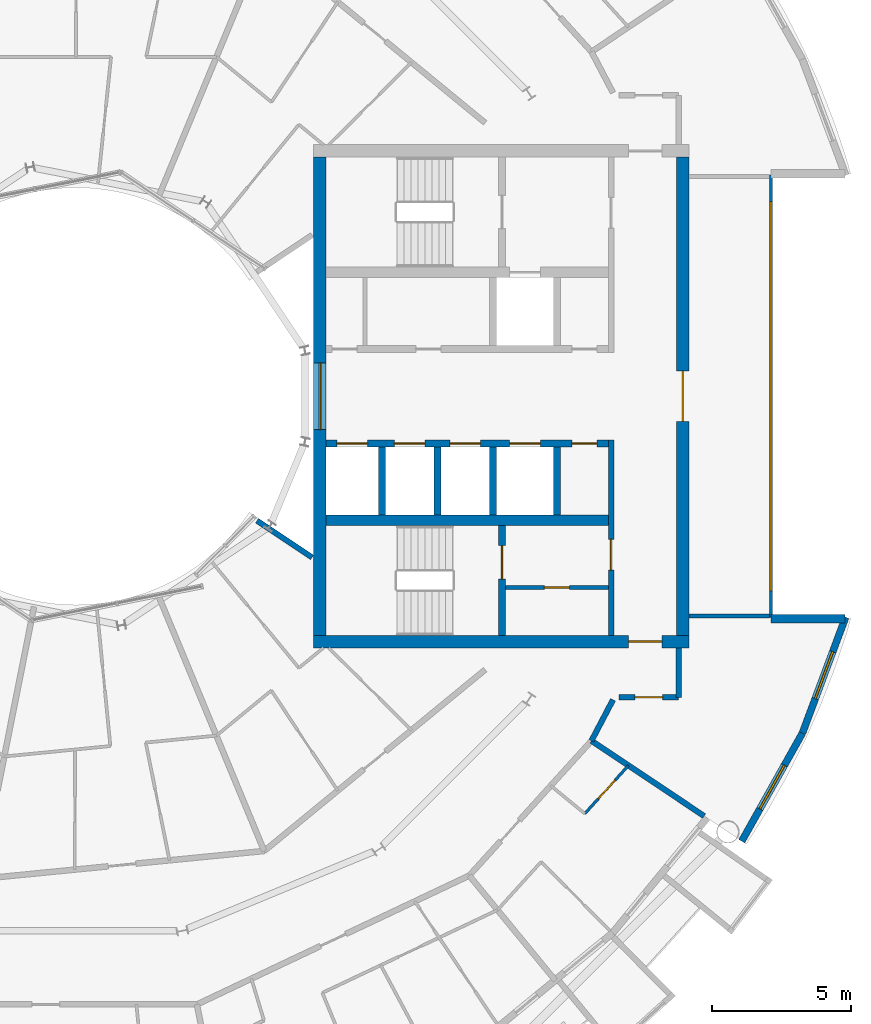
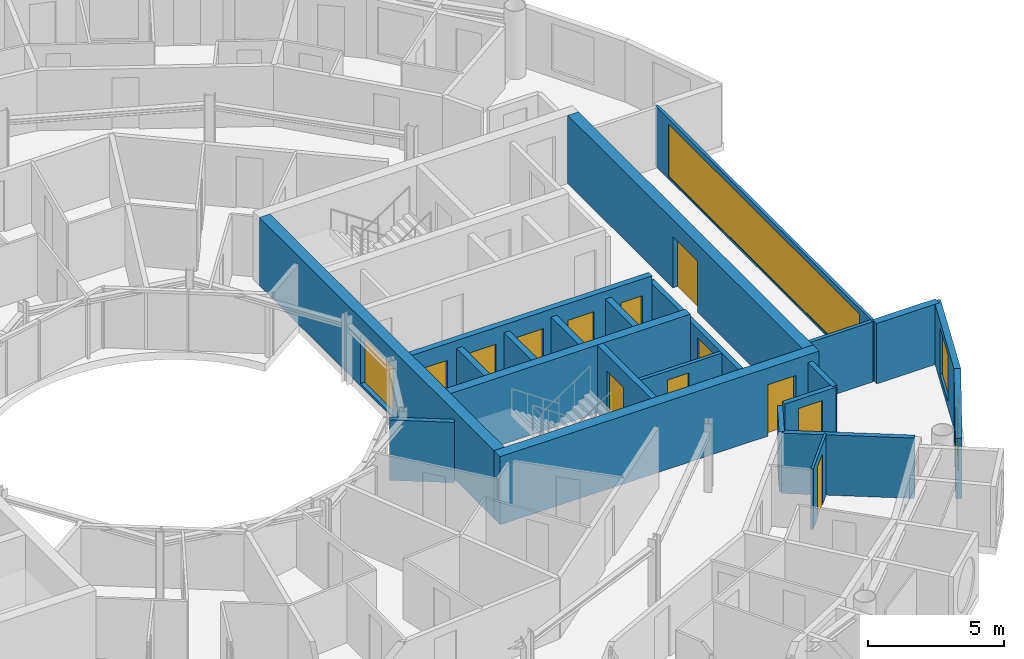
# One storey, part 19 of 29: 23 walls, 12 doors, 4 windows, 16 openings.
"""IFC4 building model written with IfcOpenShell, lengths in metres."""

from ifc_helpers import new_model, si_unit, direction, frame, frame_2d, origin, place, context, subcontext, project, spatial, rectangle, extrude, material, layer, layer_set, type_object, element, fill, save


model = new_model("IFC4")

# Units and contexts
model_context = context("Model", 3, precision=1e-05, world=origin(), true_north=direction((0.0, 1.0)))
body_context = subcontext(model_context, "Body", "Model", "MODEL_VIEW")
ifc_project = project(units=[si_unit("LENGTHUNIT", "METRE"), si_unit("AREAUNIT", "SQUARE_METRE"), si_unit("VOLUMEUNIT", "CUBIC_METRE"), si_unit("PLANEANGLEUNIT", "RADIAN"), si_unit("MASSUNIT", "GRAM", prefix="KILO")], contexts=[model_context])

# Site, building, storey
site_placement = place(None, origin())
site = spatial("IfcSite", under=ifc_project, at=site_placement, CompositionType="ELEMENT")
building_placement = place(site_placement, origin())
building = spatial("IfcBuilding", under=site, at=building_placement, Name="Maasbend Ring Residences", CompositionType="ELEMENT")
storey_placement = place(building_placement, frame((0.0, 0.0, 215.75)))
storey = spatial("IfcBuildingStorey", under=building, at=storey_placement, Name="L62", CompositionType="ELEMENT", Elevation=215.75)

# Wall, openings, doors
ifc_material_1 = material(Name="Concrete C50/60", Category="concrete")
ifc_layer_1 = layer(ifc_material_1, 0.25)
ifc_layer_set_1 = layer_set([ifc_layer_1], Name="Concrete C50/60")
wall_type_1 = type_object("IfcWallType", Name="CORE WALL 250 C50/60", PredefinedType="SHEAR", material=ifc_layer_set_1)
wall_1_placement = place(storey_placement, frame((19.14990234375, -1.699951171875, 0.0), z_axis=(0.0, 0.0, 1.0), x_axis=(-1.0, 0.0, 0.0)))
wall_1 = element("IfcWall", 1, at=wall_1_placement, inside=storey, type_object=wall_type_1, Name="L62 core E wall SPS", PredefinedType="SHEAR", context=body_context, shape_type="SweptSolid", body=[
    extrude(rectangle(XDim=10.14990234375, YDim=0.25, at=frame_2d((5.074951171875, 0.0))), origin(), (0.0, 0.0, 1.0), 3.050048828125),
])
opening_1_placement = place(wall_1_placement, frame((8.66259765625, 0.0, 0.0)))
opening_1 = element("IfcOpeningElement", 2, at=opening_1_placement, cuts=wall_1, Name="Opening LD-E6202", PredefinedType="OPENING", context=body_context, shape_type="SweptSolid", body=[
    extrude(rectangle(XDim=1.10009765625, YDim=2.300048828125, at=frame_2d((0.550048828125, 1.14990234375))), frame((0.0, 0.135009765625, 0.0), z_axis=(0.0, -1.0, 0.0), x_axis=(1.0, 0.0, 0.0)), (0.0, 0.0, 1.0), 0.27001953125),
])
opening_2_placement = place(wall_1_placement, frame((6.60009765625, 0.0, 0.0)))
opening_2 = element("IfcOpeningElement", 3, at=opening_2_placement, cuts=wall_1, Name="Opening LD-E6203", PredefinedType="OPENING", context=body_context, shape_type="SweptSolid", body=[
    extrude(rectangle(XDim=1.10009765625, YDim=2.300048828125, at=frame_2d((0.550048828125, 1.14990234375))), frame((0.0, 0.135009765625, 0.0), z_axis=(0.0, -1.0, 0.0), x_axis=(1.0, 0.0, 0.0)), (0.0, 0.0, 1.0), 0.27001953125),
])
opening_3_placement = place(wall_1_placement, frame((4.60009765625, 0.0, 0.0)))
opening_3 = element("IfcOpeningElement", 4, at=opening_3_placement, cuts=wall_1, Name="Opening LD-E6204", PredefinedType="OPENING", context=body_context, shape_type="SweptSolid", body=[
    extrude(rectangle(XDim=1.10009765625, YDim=2.300048828125, at=frame_2d((0.550048828125, 1.14990234375))), frame((0.0, 0.135009765625, 0.0), z_axis=(0.0, -1.0, 0.0), x_axis=(1.0, 0.0, 0.0)), (0.0, 0.0, 1.0), 0.27001953125),
])
opening_4_placement = place(wall_1_placement, frame((2.449951171875, 0.0, 0.0)))
opening_4 = element("IfcOpeningElement", 5, at=opening_4_placement, cuts=wall_1, Name="Opening LD-E6205", PredefinedType="OPENING", context=body_context, shape_type="SweptSolid", body=[
    extrude(rectangle(XDim=1.10009765625, YDim=2.300048828125, at=frame_2d((0.550048828125, 1.14990234375))), frame((0.0, 0.135009765625, 0.0), z_axis=(0.0, -1.0, 0.0), x_axis=(1.0, 0.0, 0.0)), (0.0, 0.0, 1.0), 0.27001953125),
])
opening_5_placement = place(wall_1_placement, frame((0.41259765625, 0.0, 0.0)))
opening_5 = element("IfcOpeningElement", 6, at=opening_5_placement, cuts=wall_1, Name="Opening D-E6209", PredefinedType="OPENING", context=body_context, shape_type="SweptSolid", body=[
    extrude(rectangle(XDim=0.89990234375, YDim=2.300048828125, at=frame_2d((0.449951171875, 1.14990234375))), frame((0.0, 0.135009765625, 0.0), z_axis=(0.0, -1.0, 0.0), x_axis=(1.0, 0.0, 0.0)), (0.0, 0.0, 1.0), 0.27001953125),
])
ifc_material_2 = material(Name="Stainless steel 316", Category="steel")
door_type_1 = type_object("IfcDoorType", Name="LANDING DOOR 1100 X 2300 FD60", OperationType="DOUBLE_DOOR_SLIDING", PredefinedType="DOOR", material=ifc_material_2)
door_1_placement = place(opening_1_placement, origin())
door_1 = element("IfcDoor", 7, at=door_1_placement, inside=storey, type_object=door_type_1, Name="Landing door HR-E1 L62", OperationType="DOUBLE_DOOR_SLIDING", OverallHeight=2.300048828125, OverallWidth=1.10009765625, PredefinedType="DOOR", context=body_context, shape_type="SweptSolid", body=[
    extrude(rectangle(XDim=1.10009765625, YDim=2.300048828125, at=frame_2d((0.550048828125, 1.14990234375))), frame((0.0, 0.02490234375, 0.0), z_axis=(0.0, -1.0, 0.0), x_axis=(1.0, 0.0, 0.0)), (0.0, 0.0, 1.0), 0.050048828125),
])
fill(opening_1, door_1)
door_2_placement = place(opening_2_placement, origin())
door_2 = element("IfcDoor", 8, at=door_2_placement, inside=storey, type_object=door_type_1, Name="Landing door HR-E2 L62", OperationType="DOUBLE_DOOR_SLIDING", OverallHeight=2.300048828125, OverallWidth=1.10009765625, PredefinedType="DOOR", context=body_context, shape_type="SweptSolid", body=[
    extrude(rectangle(XDim=1.10009765625, YDim=2.300048828125, at=frame_2d((0.550048828125, 1.14990234375))), frame((0.0, 0.02490234375, 0.0), z_axis=(0.0, -1.0, 0.0), x_axis=(1.0, 0.0, 0.0)), (0.0, 0.0, 1.0), 0.050048828125),
])
fill(opening_2, door_2)
door_3_placement = place(opening_3_placement, origin())
door_3 = element("IfcDoor", 9, at=door_3_placement, inside=storey, type_object=door_type_1, Name="Landing door HR-E3 L62", OperationType="DOUBLE_DOOR_SLIDING", OverallHeight=2.300048828125, OverallWidth=1.10009765625, PredefinedType="DOOR", context=body_context, shape_type="SweptSolid", body=[
    extrude(rectangle(XDim=1.10009765625, YDim=2.300048828125, at=frame_2d((0.550048828125, 1.14990234375))), frame((0.0, 0.02490234375, 0.0), z_axis=(0.0, -1.0, 0.0), x_axis=(1.0, 0.0, 0.0)), (0.0, 0.0, 1.0), 0.050048828125),
])
fill(opening_3, door_3)
door_4_placement = place(opening_4_placement, origin())
door_4 = element("IfcDoor", 10, at=door_4_placement, inside=storey, type_object=door_type_1, Name="Landing door SV-E L62", OperationType="DOUBLE_DOOR_SLIDING", OverallHeight=2.300048828125, OverallWidth=1.10009765625, PredefinedType="DOOR", context=body_context, shape_type="SweptSolid", body=[
    extrude(rectangle(XDim=1.10009765625, YDim=2.300048828125, at=frame_2d((0.550048828125, 1.14990234375))), frame((0.0, 0.02490234375, 0.0), z_axis=(0.0, -1.0, 0.0), x_axis=(1.0, 0.0, 0.0)), (0.0, 0.0, 1.0), 0.050048828125),
])
fill(opening_4, door_4)
ifc_material_3 = material(Name="Steel, powder coated", Category="steel")
door_type_2 = type_object("IfcDoorType", Name="ROOM DOOR 900 X 2300 FD30S", OperationType="NOTDEFINED", PredefinedType="DOOR", material=ifc_material_3)
door_5_placement = place(opening_5_placement, origin())
door_5 = element("IfcDoor", 11, at=door_5_placement, inside=storey, type_object=door_type_2, Name="Room door L62", OperationType="SINGLE_SWING_RIGHT", OverallHeight=2.300048828125, OverallWidth=0.89990234375, PredefinedType="DOOR", context=body_context, shape_type="SweptSolid", body=[
    extrude(rectangle(XDim=0.89990234375, YDim=2.300048828125, at=frame_2d((0.449951171875, 1.14990234375))), frame((0.0, 0.02490234375, 0.0), z_axis=(0.0, -1.0, 0.0), x_axis=(1.0, 0.0, 0.0)), (0.0, 0.0, 1.0), 0.050048828125),
])
fill(opening_5, door_5)

# Wall, opening, door
wall_2_placement = place(storey_placement, frame((15.324951171875, -8.60009765625, 0.0), z_axis=(0.0, 0.0, 1.0), x_axis=(0.0, 1.0, 0.0)))
wall_2 = element("IfcWall", 12, at=wall_2_placement, inside=storey, type_object=wall_type_1, Name="L62 core E wall STES", PredefinedType="SHEAR", context=body_context, shape_type="SweptSolid", body=[
    extrude(rectangle(XDim=3.9501953125, YDim=0.25, at=frame_2d((1.97509765625, 0.0))), origin(), (0.0, 0.0, 1.0), 3.050048828125),
])
opening_6_placement = place(wall_2_placement, frame((2.02490234375, 0.0, 0.0)))
opening_6 = element("IfcOpeningElement", 13, at=opening_6_placement, cuts=wall_2, Name="Opening D-E6212", PredefinedType="OPENING", context=body_context, shape_type="SweptSolid", body=[
    extrude(rectangle(XDim=1.199951171875, YDim=2.300048828125, at=frame_2d((0.60009765625, 1.14990234375))), frame((0.0, 0.135009765625, 0.0), z_axis=(0.0, -1.0, 0.0), x_axis=(1.0, 0.0, 0.0)), (0.0, 0.0, 1.0), 0.27001953125),
])
ifc_material_4 = material(Name="Steel, powder coated", Category="steel")
door_type_3 = type_object("IfcDoorType", Name="STAIR DOOR 1200 X 2300 FD60", OperationType="NOTDEFINED", PredefinedType="DOOR", material=ifc_material_4)
door_6_placement = place(opening_6_placement, origin())
door_6 = element("IfcDoor", 14, at=door_6_placement, inside=storey, type_object=door_type_3, Name="Stair door ST-E L62", OperationType="SINGLE_SWING_LEFT", OverallHeight=2.300048828125, OverallWidth=1.199951171875, PredefinedType="DOOR", context=body_context, shape_type="SweptSolid", body=[
    extrude(rectangle(XDim=1.199951171875, YDim=2.300048828125, at=frame_2d((0.60009765625, 1.14990234375))), frame((0.0, 0.02490234375, 0.0), z_axis=(0.0, -1.0, 0.0), x_axis=(1.0, 0.0, 0.0)), (0.0, 0.0, 1.0), 0.050048828125),
])
fill(opening_6, door_6)

# Wall
ifc_material_5 = material(Name="Concrete C50/60", Category="concrete")
ifc_layer_2 = layer(ifc_material_5, 0.375)
ifc_layer_set_2 = layer_set([ifc_layer_2], Name="Concrete C50/60")
wall_type_2 = type_object("IfcWallType", Name="CORE WALL 375 C50/60", PredefinedType="SHEAR", material=ifc_layer_set_2)
wall_3_placement = place(storey_placement, frame((9.0, -4.46240234375, 0.0), z_axis=(0.0, 0.0, 1.0), x_axis=(1.0, 0.0, 0.0)))
element("IfcWall", 15, at=wall_3_placement, inside=storey, type_object=wall_type_2, Name="L62 core E wall BS", PredefinedType="SHEAR", context=body_context, shape_type="SweptSolid", body=[
    extrude(rectangle(XDim=10.14990234375, YDim=0.375, at=frame_2d((5.074951171875, 0.0))), origin(), (0.0, 0.0, 1.0), 3.050048828125),
])

# Wall, opening, door
ifc_material_6 = material(Name="Concrete C50/60", Category="concrete")
ifc_layer_3 = layer(ifc_material_6, 0.449951171875)
ifc_layer_set_3 = layer_set([ifc_layer_3], Name="Concrete C50/60")
wall_type_3 = type_object("IfcWallType", Name="CORE WALL 450 C50/60", PredefinedType="SHEAR", material=ifc_layer_set_3)
wall_4_placement = place(storey_placement, frame((8.550048828125, -8.824951171875, 0.0), z_axis=(0.0, 0.0, 1.0), x_axis=(1.0, 0.0, 0.0)))
wall_4 = element("IfcWall", 16, at=wall_4_placement, inside=storey, type_object=wall_type_3, Name="L62 core E wall PS", PredefinedType="SHEAR", context=body_context, shape_type="SweptSolid", body=[
    extrude(rectangle(XDim=13.5, YDim=0.449951171875, at=frame_2d((6.75, 0.0))), origin(), (0.0, 0.0, 1.0), 3.050048828125),
])
opening_7_placement = place(wall_4_placement, frame((11.324951171875, 0.0, 0.0)))
opening_7 = element("IfcOpeningElement", 17, at=opening_7_placement, cuts=wall_4, Name="Opening D-E6216", PredefinedType="OPENING", context=body_context, shape_type="SweptSolid", body=[
    extrude(rectangle(XDim=1.199951171875, YDim=2.300048828125, at=frame_2d((0.60009765625, 1.14990234375))), frame((0.0, 0.23486328125, 0.0), z_axis=(0.0, -1.0, 0.0), x_axis=(1.0, 0.0, 0.0)), (0.0, 0.0, 1.0), 0.469970703125),
])
ifc_material_7 = material(Name="Steel, powder coated", Category="steel")
door_type_4 = type_object("IfcDoorType", Name="CORRIDOR DOOR 1200 X 2300 FD30S", OperationType="NOTDEFINED", PredefinedType="DOOR", material=ifc_material_7)
door_7_placement = place(opening_7_placement, origin())
door_7 = element("IfcDoor", 18, at=door_7_placement, inside=storey, type_object=door_type_4, Name="Corridor door L62", OperationType="SINGLE_SWING_LEFT", OverallHeight=2.300048828125, OverallWidth=1.199951171875, PredefinedType="DOOR", context=body_context, shape_type="SweptSolid", body=[
    extrude(rectangle(XDim=1.199951171875, YDim=2.300048828125, at=frame_2d((0.60009765625, 1.14990234375))), frame((0.0, 0.02490234375, 0.0), z_axis=(0.0, -1.0, 0.0), x_axis=(1.0, 0.0, 0.0)), (0.0, 0.0, 1.0), 0.050048828125),
])
fill(opening_7, door_7)

wall_5_placement = place(storey_placement, frame((21.824951171875, 8.60009765625, 0.0), z_axis=(0.0, 0.0, 1.0), x_axis=(0.0, -1.0, 0.0)))
wall_5 = element("IfcWall", 19, at=wall_5_placement, inside=storey, type_object=wall_type_3, Name="L62 core E wall POUT", PredefinedType="SHEAR", context=body_context, shape_type="SweptSolid", body=[
    extrude(rectangle(XDim=17.2001953125, YDim=0.449951171875, at=frame_2d((8.60009765625, 0.0))), origin(), (0.0, 0.0, 1.0), 3.050048828125),
])
opening_8_placement = place(wall_5_placement, frame((7.699951171875, 0.0, 0.0)))
opening_8 = element("IfcOpeningElement", 20, at=opening_8_placement, cuts=wall_5, Name="Opening D-E6217", PredefinedType="OPENING", context=body_context, shape_type="SweptSolid", body=[
    extrude(rectangle(XDim=1.800048828125, YDim=2.300048828125, at=frame_2d((0.89990234375, 1.14990234375))), frame((0.0, 0.23486328125, 0.0), z_axis=(0.0, -1.0, 0.0), x_axis=(1.0, 0.0, 0.0)), (0.0, 0.0, 1.0), 0.469970703125),
])
ifc_material_8 = material(Name="Aluminium frame, clear glass", Category="aluminium")
door_type_5 = type_object("IfcDoorType", Name="ENTRANCE DOOR 1800 X 2300 FD60", OperationType="NOTDEFINED", PredefinedType="DOOR", material=ifc_material_8)
door_8_placement = place(opening_8_placement, origin())
door_8 = element("IfcDoor", 21, at=door_8_placement, inside=storey, type_object=door_type_5, Name="Lobby glazed door L62", OperationType="SINGLE_SWING_LEFT", OverallHeight=2.300048828125, OverallWidth=1.800048828125, PredefinedType="DOOR", context=body_context, shape_type="SweptSolid", body=[
    extrude(rectangle(XDim=1.800048828125, YDim=2.300048828125, at=frame_2d((0.89990234375, 1.14990234375))), frame((0.0, 0.02490234375, 0.0), z_axis=(0.0, -1.0, 0.0), x_axis=(1.0, 0.0, 0.0)), (0.0, 0.0, 1.0), 0.050048828125),
])
fill(opening_8, door_8)

# Wall, opening, window
wall_6_placement = place(storey_placement, frame((8.77490234375, -8.60009765625, 0.0), z_axis=(0.0, 0.0, 1.0), x_axis=(0.0, 1.0, 0.0)))
wall_6 = element("IfcWall", 22, at=wall_6_placement, inside=storey, type_object=wall_type_3, Name="L62 core E wall PIN", PredefinedType="SHEAR", context=body_context, shape_type="SweptSolid", body=[
    extrude(rectangle(XDim=17.2001953125, YDim=0.449951171875, at=frame_2d((8.60009765625, 0.0))), origin(), (0.0, 0.0, 1.0), 3.050048828125),
])
opening_9_placement = place(wall_6_placement, frame((7.39990234375, 0.0, 0.10009765625)))
opening_9 = element("IfcOpeningElement", 23, at=opening_9_placement, cuts=wall_6, Name="Opening W-E6201", PredefinedType="OPENING", context=body_context, shape_type="SweptSolid", body=[
    extrude(rectangle(XDim=2.39990234375, YDim=2.199951171875, at=frame_2d((1.199951171875, 1.10009765625))), frame((0.0, 0.23486328125, 0.0), z_axis=(0.0, -1.0, 0.0), x_axis=(1.0, 0.0, 0.0)), (0.0, 0.0, 1.0), 0.469970703125),
])
ifc_material_9 = material(Name="Aluminium frame and clear glass", Category="aluminium")
window_type_1 = type_object("IfcWindowType", Name="FIXED WINDOW 2400 X 2200", PartitioningType="SINGLE_PANEL", PredefinedType="WINDOW", material=ifc_material_9)
window_1_placement = place(opening_9_placement, origin())
window_1 = element("IfcWindow", 24, at=window_1_placement, inside=storey, type_object=window_type_1, Name="Lobby window L62", OverallHeight=2.199951171875, OverallWidth=2.39990234375, PartitioningType="SINGLE_PANEL", PredefinedType="WINDOW", context=body_context, shape_type="SweptSolid", body=[
    extrude(rectangle(XDim=2.39990234375, YDim=2.199951171875, at=frame_2d((1.199951171875, 1.10009765625))), frame((0.0, 0.030029296875, 0.0), z_axis=(0.0, -1.0, 0.0), x_axis=(1.0, 0.0, 0.0)), (0.0, 0.0, 1.0), 0.06005859375),
])
fill(opening_9, window_1)

# Walls
ifc_material_10 = material(Name="Concrete C30/37", Category="concrete")
ifc_layer_4 = layer(ifc_material_10, 0.199951171875)
ifc_layer_set_4 = layer_set([ifc_layer_4], Name="Concrete C30/37")
wall_type_4 = type_object("IfcWallType", Name="CORRIDOR WALL 200 CONCRETE", PredefinedType="PARTITIONING", material=ifc_layer_set_4)
wall_7_placement = place(storey_placement, frame((18.5419921875, -12.388916015625, 0.0), z_axis=(0.0, 0.0, 1.0), x_axis=(0.465359652486, 0.885121683068, 0.0)))
element("IfcWall", 25, at=wall_7_placement, inside=storey, type_object=wall_type_4, Name="U-L62-w012", PredefinedType="PARTITIONING", context=body_context, shape_type="SweptSolid", body=[
    extrude(rectangle(XDim=1.665283203125, YDim=0.199951171875, at=frame_2d((0.83251953125, 0.0))), origin(), (0.0, 0.0, 1.0), 2.699951171875),
])
wall_8_placement = place(storey_placement, frame((21.675048828125, -10.824951171875, 0.0), z_axis=(0.0, 0.0, 1.0), x_axis=(0.0, 1.0, 0.0)))
element("IfcWall", 26, at=wall_8_placement, inside=storey, type_object=wall_type_4, Name="U-L62-w017", PredefinedType="PARTITIONING", context=body_context, shape_type="SweptSolid", body=[
    extrude(rectangle(XDim=1.77490234375, YDim=0.199951171875, at=frame_2d((0.887451171875, 0.0))), origin(), (0.0, 0.0, 1.0), 2.699951171875),
])

# Wall, opening, door
wall_9_placement = place(storey_placement, frame((19.52294921875, -10.824951171875, 0.0), z_axis=(0.0, 0.0, 1.0), x_axis=(1.0, 0.0, 0.0)))
wall_9 = element("IfcWall", 27, at=wall_9_placement, inside=storey, type_object=wall_type_4, Name="U-L62-w030", PredefinedType="PARTITIONING", context=body_context, shape_type="SweptSolid", body=[
    extrude(rectangle(XDim=2.152099609375, YDim=0.199951171875, at=frame_2d((1.076171875, 0.0))), origin(), (0.0, 0.0, 1.0), 2.699951171875),
])
opening_10_placement = place(wall_9_placement, frame((0.575927734375, 0.0, 0.0)))
opening_10 = element("IfcOpeningElement", 28, at=opening_10_placement, cuts=wall_9, Name="Opening D-6270", PredefinedType="OPENING", context=body_context, shape_type="SweptSolid", body=[
    extrude(rectangle(XDim=1.0, YDim=2.300048828125, at=frame_2d((0.5, 1.14990234375))), frame((0.0, 0.10986328125, 0.0), z_axis=(0.0, -1.0, 0.0), x_axis=(1.0, 0.0, 0.0)), (0.0, 0.0, 1.0), 0.219970703125),
])
ifc_material_11 = material(Name="Timber, painted", Category="wood")
door_type_6 = type_object("IfcDoorType", Name="ROOM DOOR 1000 X 2300", OperationType="NOTDEFINED", PredefinedType="DOOR", material=ifc_material_11)
door_9_placement = place(opening_10_placement, origin())
door_9 = element("IfcDoor", 29, at=door_9_placement, inside=storey, type_object=door_type_6, Name="D-6270", OperationType="SINGLE_SWING_LEFT", OverallHeight=2.300048828125, OverallWidth=1.0, PredefinedType="DOOR", context=body_context, shape_type="SweptSolid", body=[
    extrude(rectangle(XDim=1.0, YDim=2.300048828125, at=frame_2d((0.5, 1.14990234375))), frame((0.0, 0.02490234375, 0.0), z_axis=(0.0, -1.0, 0.0), x_axis=(1.0, 0.0, 0.0)), (0.0, 0.0, 1.0), 0.050048828125),
])
fill(opening_10, door_9)

# Wall, opening, window
ifc_material_12 = material(Name="Aluminium clad insulated panel", Category="aluminium")
ifc_layer_5 = layer(ifc_material_12, 0.25)
ifc_layer_set_5 = layer_set([ifc_layer_5], Name="EW-HORN")
wall_type_5 = type_object("IfcWallType", Name="EW-HORN", PredefinedType="SOLIDWALL", material=ifc_layer_set_5)
wall_10_placement = place(storey_placement, frame((23.946044921875, -16.0, 0.0), z_axis=(0.0, 0.0, 1.0), x_axis=(0.489696356642, 0.871893042919, 0.0)))
wall_10 = element("IfcWall", 30, at=wall_10_placement, inside=storey, type_object=wall_type_5, Name="Horn wall 2.1", PredefinedType="SOLIDWALL", context=body_context, shape_type="SweptSolid", body=[
    extrude(rectangle(XDim=4.45361328125, YDim=0.25, at=frame_2d((2.226806640625, 0.0))), origin(), (0.0, 0.0, 1.0), 2.699951171875),
])
opening_11_placement = place(wall_10_placement, frame((1.32666015625, 0.0, 0.300048828125)))
opening_11 = element("IfcOpeningElement", 31, at=opening_11_placement, cuts=wall_10, Name="Opening W-BX", PredefinedType="OPENING", context=body_context, shape_type="SweptSolid", body=[
    extrude(rectangle(XDim=1.800048828125, YDim=2.10009765625, at=frame_2d((0.89990234375, 1.050048828125))), frame((0.0, 0.135009765625, 0.0), z_axis=(0.0, -1.0, 0.0), x_axis=(1.0, 0.0, 0.0)), (0.0, 0.0, 1.0), 0.27001953125),
])
ifc_material_13 = material(Name="Aluminium and clear glass", Category="aluminium")
window_type_2 = type_object("IfcWindowType", Name="W-BX", PartitioningType="DOUBLE_PANEL_VERTICAL", PredefinedType="WINDOW", material=ifc_material_13)
window_2_placement = place(opening_11_placement, origin())
window_2 = element("IfcWindow", 32, at=window_2_placement, inside=storey, type_object=window_type_2, Name="Horn window 2.1", OverallHeight=2.10009765625, OverallWidth=1.800048828125, PartitioningType="SINGLE_PANEL", PredefinedType="WINDOW", context=body_context, shape_type="SweptSolid", body=[
    extrude(rectangle(XDim=1.800048828125, YDim=2.10009765625, at=frame_2d((0.89990234375, 1.050048828125))), frame((0.0, 0.030029296875, 0.0), z_axis=(0.0, -1.0, 0.0), x_axis=(1.0, 0.0, 0.0)), (0.0, 0.0, 1.0), 0.06005859375),
])
fill(opening_11, window_2)

wall_11_placement = place(storey_placement, frame((26.126953125, -12.116943359375, 0.0), z_axis=(0.0, 0.0, 1.0), x_axis=(0.349247811493, 0.937030397675, 0.0)))
wall_11 = element("IfcWall", 33, at=wall_11_placement, inside=storey, type_object=wall_type_5, Name="Horn wall 2.2", PredefinedType="SOLIDWALL", context=body_context, shape_type="SweptSolid", body=[
    extrude(rectangle(XDim=4.4521484375, YDim=0.25, at=frame_2d((2.22607421875, 0.0))), origin(), (0.0, 0.0, 1.0), 2.699951171875),
])
opening_12_placement = place(wall_11_placement, frame((1.32666015625, 0.0, 0.300048828125)))
opening_12 = element("IfcOpeningElement", 34, at=opening_12_placement, cuts=wall_11, Name="Opening W-BX", PredefinedType="OPENING", context=body_context, shape_type="SweptSolid", body=[
    extrude(rectangle(XDim=1.800048828125, YDim=2.10009765625, at=frame_2d((0.89990234375, 1.050048828125))), frame((0.0, 0.135009765625, 0.0), z_axis=(0.0, -1.0, 0.0), x_axis=(1.0, 0.0, 0.0)), (0.0, 0.0, 1.0), 0.27001953125),
])
window_3_placement = place(opening_12_placement, origin())
window_3 = element("IfcWindow", 35, at=window_3_placement, inside=storey, type_object=window_type_2, Name="Horn window 2.2", OverallHeight=2.10009765625, OverallWidth=1.800048828125, PartitioningType="SINGLE_PANEL", PredefinedType="WINDOW", context=body_context, shape_type="SweptSolid", body=[
    extrude(rectangle(XDim=1.800048828125, YDim=2.10009765625, at=frame_2d((0.89990234375, 1.050048828125))), frame((0.0, 0.030029296875, 0.0), z_axis=(0.0, -1.0, 0.0), x_axis=(1.0, 0.0, 0.0)), (0.0, 0.0, 1.0), 0.06005859375),
])
fill(opening_12, window_3)

# Wall
ifc_material_14 = material(Name="Aluminium clad insulated panel", Category="aluminium")
ifc_layer_6 = layer(ifc_material_14, 0.300048828125)
ifc_layer_set_6 = layer_set([ifc_layer_6], Name="EW-RET")
wall_type_6 = type_object("IfcWallType", Name="EW-RET", PredefinedType="SOLIDWALL", material=ifc_layer_set_6)
wall_12_placement = place(storey_placement, frame((25.0, -8.0, 0.0), z_axis=(0.0, 0.0, 1.0), x_axis=(1.0, 0.0, 0.0)))
element("IfcWall", 36, at=wall_12_placement, inside=storey, type_object=wall_type_6, Name="Notch return wall east south", PredefinedType="SOLIDWALL", context=body_context, shape_type="SweptSolid", body=[
    extrude(rectangle(XDim=2.6669921875, YDim=0.300048828125, at=frame_2d((1.33349609375, 0.0))), origin(), (0.0, 0.0, 1.0), 2.699951171875),
])

# Wall, opening, window
ifc_material_15 = material(Name="Aluminium frame and clear glass", Category="aluminium")
ifc_layer_7 = layer(ifc_material_15, 0.1201171875)
ifc_layer_set_7 = layer_set([ifc_layer_7], Name="GLAZED SCREEN WALL 120 EI 60")
wall_type_7 = type_object("IfcWallType", Name="GLAZED SCREEN WALL 120 EI 60", PredefinedType="PARTITIONING", material=ifc_layer_set_7)
wall_13_placement = place(storey_placement, frame((25.0, -7.949951171875, 0.0), z_axis=(0.0, 0.0, 1.0), x_axis=(0.0, 1.0, 0.0)))
wall_13 = element("IfcWall", 37, at=wall_13_placement, inside=storey, type_object=wall_type_7, Name="L62 core E wall FACE", PredefinedType="PARTITIONING", context=body_context, shape_type="SweptSolid", body=[
    extrude(rectangle(XDim=15.89990234375, YDim=0.1201171875, at=frame_2d((7.949951171875, 0.0))), origin(), (0.0, 0.0, 1.0), 2.699951171875),
])
opening_13_placement = place(wall_13_placement, frame((0.949951171875, 0.0, 0.10009765625)))
opening_13 = element("IfcOpeningElement", 38, at=opening_13_placement, cuts=wall_13, Name="Opening W-E6202", PredefinedType="OPENING", context=body_context, shape_type="SweptSolid", body=[
    extrude(rectangle(XDim=14.0, YDim=2.35009765625, at=frame_2d((7.0, 1.175048828125))), frame((0.0, 0.070068359375, 0.0), z_axis=(0.0, -1.0, 0.0), x_axis=(1.0, 0.0, 0.0)), (0.0, 0.0, 1.0), 0.14013671875),
])
ifc_material_16 = material(Name="Aluminium frame and clear glass", Category="aluminium")
window_type_3 = type_object("IfcWindowType", Name="FIXED WINDOW 14000 X 2350", PartitioningType="SINGLE_PANEL", PredefinedType="WINDOW", material=ifc_material_16)
window_4_placement = place(opening_13_placement, origin())
window_4 = element("IfcWindow", 39, at=window_4_placement, inside=storey, type_object=window_type_3, Name="Lobby window L62", OverallHeight=2.35009765625, OverallWidth=14.0, PartitioningType="SINGLE_PANEL", PredefinedType="WINDOW", context=body_context, shape_type="SweptSolid", body=[
    extrude(rectangle(XDim=14.0, YDim=2.35009765625, at=frame_2d((7.0, 1.175048828125))), frame((0.0, 0.030029296875, 0.0), z_axis=(0.0, -1.0, 0.0), x_axis=(1.0, 0.0, 0.0)), (0.0, 0.0, 1.0), 0.06005859375),
])
fill(opening_13, window_4)

# Wall, opening, door
ifc_material_17 = material(Name="Gypsum board on steel studs", Category="steel")
ifc_layer_8 = layer(ifc_material_17, 0.10009765625)
ifc_layer_set_8 = layer_set([ifc_layer_8], Name="PARTITION 100 GYPSUM")
wall_type_8 = type_object("IfcWallType", Name="PARTITION 100 GYPSUM", PredefinedType="PARTITIONING", material=ifc_layer_set_8)
wall_14_placement = place(storey_placement, frame((18.302001953125, -15.010009765625, 0.0), z_axis=(0.0, 0.0, 1.0), x_axis=(0.671637685376, 0.740879760544, 0.0)))
wall_14 = element("IfcWall", 40, at=wall_14_placement, inside=storey, type_object=wall_type_8, Name="U-L62-w002", PredefinedType="PARTITIONING", context=body_context, shape_type="SweptSolid", body=[
    extrude(rectangle(XDim=2.337646484375, YDim=0.10009765625, at=frame_2d((1.1689453125, 0.0))), origin(), (0.0, 0.0, 1.0), 2.699951171875),
])
opening_14_placement = place(wall_14_placement, frame((0.718994140625, 0.0, 0.0)))
opening_14 = element("IfcOpeningElement", 41, at=opening_14_placement, cuts=wall_14, Name="Opening D-6254", PredefinedType="OPENING", context=body_context, shape_type="SweptSolid", body=[
    extrude(rectangle(XDim=0.89990234375, YDim=2.300048828125, at=frame_2d((0.449951171875, 1.14990234375))), frame((0.0, 0.06005859375, 0.0), z_axis=(0.0, -1.0, 0.0), x_axis=(1.0, 0.0, 0.0)), (0.0, 0.0, 1.0), 0.1201171875),
])
ifc_material_18 = material(Name="Timber, painted", Category="wood")
door_type_7 = type_object("IfcDoorType", Name="INTERNAL DOOR 900 X 2300", OperationType="NOTDEFINED", PredefinedType="DOOR", material=ifc_material_18)
door_10_placement = place(opening_14_placement, origin())
door_10 = element("IfcDoor", 42, at=door_10_placement, inside=storey, type_object=door_type_7, Name="D-6254", OperationType="SINGLE_SWING_LEFT", OverallHeight=2.300048828125, OverallWidth=0.89990234375, PredefinedType="DOOR", context=body_context, shape_type="SweptSolid", body=[
    extrude(rectangle(XDim=0.89990234375, YDim=2.300048828125, at=frame_2d((0.449951171875, 1.14990234375))), frame((0.0, 0.02490234375, 0.0), z_axis=(0.0, -1.0, 0.0), x_axis=(1.0, 0.0, 0.0)), (0.0, 0.0, 1.0), 0.050048828125),
])
fill(opening_14, door_10)

ifc_material_19 = material(Name="Gypsum board on steel studs", Category="steel")
ifc_layer_9 = layer(ifc_material_19, 0.14990234375)
ifc_layer_set_9 = layer_set([ifc_layer_9], Name="PARTITION 150 EI 60")
wall_type_9 = type_object("IfcWallType", Name="PARTITION 150 EI 60", PredefinedType="PARTITIONING", material=ifc_layer_set_9)
wall_15_placement = place(storey_placement, frame((15.449951171875, -6.875, 0.0), z_axis=(0.0, 0.0, 1.0), x_axis=(1.0, 0.0, 0.0)))
wall_15 = element("IfcWall", 43, at=wall_15_placement, inside=storey, type_object=wall_type_9, Name="L62 core E wall RHS", PredefinedType="PARTITIONING", context=body_context, shape_type="SweptSolid", body=[
    extrude(rectangle(XDim=3.699951171875, YDim=0.14990234375, at=frame_2d((1.85009765625, 0.0))), origin(), (0.0, 0.0, 1.0), 2.699951171875),
])
opening_15_placement = place(wall_15_placement, frame((1.39990234375, 0.0, 0.0)))
opening_15 = element("IfcOpeningElement", 44, at=opening_15_placement, cuts=wall_15, Name="Opening D-E6210", PredefinedType="OPENING", context=body_context, shape_type="SweptSolid", body=[
    extrude(rectangle(XDim=0.89990234375, YDim=2.300048828125, at=frame_2d((0.449951171875, 1.14990234375))), frame((0.0, 0.0849609375, 0.0), z_axis=(0.0, -1.0, 0.0), x_axis=(1.0, 0.0, 0.0)), (0.0, 0.0, 1.0), 0.169921875),
])
ifc_material_20 = material(Name="Steel, powder coated", Category="steel")
door_type_8 = type_object("IfcDoorType", Name="RISER DOOR 900 X 2300 FD60", OperationType="NOTDEFINED", PredefinedType="DOOR", material=ifc_material_20)
door_11_placement = place(opening_15_placement, origin())
door_11 = element("IfcDoor", 45, at=door_11_placement, inside=storey, type_object=door_type_8, Name="Riser door L62", OperationType="SINGLE_SWING_LEFT", OverallHeight=2.300048828125, OverallWidth=0.89990234375, PredefinedType="DOOR", context=body_context, shape_type="SweptSolid", body=[
    extrude(rectangle(XDim=0.89990234375, YDim=2.300048828125, at=frame_2d((0.449951171875, 1.14990234375))), frame((0.0, 0.02490234375, 0.0), z_axis=(0.0, -1.0, 0.0), x_axis=(1.0, 0.0, 0.0)), (0.0, 0.0, 1.0), 0.050048828125),
])
fill(opening_15, door_11)

# Walls
wall_16_placement = place(storey_placement, frame((22.050048828125, -7.89990234375, 0.0), z_axis=(0.0, 0.0, 1.0), x_axis=(1.0, 0.0, 0.0)))
element("IfcWall", 46, at=wall_16_placement, inside=storey, type_object=wall_type_9, Name="L62 core E wall CITS", PredefinedType="PARTITIONING", context=body_context, shape_type="SweptSolid", body=[
    extrude(rectangle(XDim=2.889892578125, YDim=0.14990234375, at=frame_2d((1.44482421875, 0.0))), origin(), (0.0, 0.0, 1.0), 2.699951171875),
])
ifc_material_21 = material(Name="Concrete C30/37", Category="concrete")
ifc_layer_10 = layer(ifc_material_21, 0.199951171875)
ifc_layer_set_10 = layer_set([ifc_layer_10], Name="Concrete C30/37")
wall_type_10 = type_object("IfcWallType", Name="PARTY WALL 200 CONCRETE", PredefinedType="PARTITIONING", material=ifc_layer_set_10)
wall_17_placement = place(storey_placement, frame((6.512939453125, -4.471923828125, 0.0), z_axis=(0.0, 0.0, 1.0), x_axis=(0.831403409976, -0.555669299026, 0.0)))
element("IfcWall", 47, at=wall_17_placement, inside=storey, type_object=wall_type_10, Name="U-L62-w032", PredefinedType="PARTITIONING", context=body_context, shape_type="SweptSolid", body=[
    extrude(rectangle(XDim=2.382568359375, YDim=0.199951171875, at=frame_2d((1.19140625, 0.0))), origin(), (0.0, 0.0, 1.0), 2.699951171875),
])
wall_18_placement = place(storey_placement, frame((18.5419921875, -12.388916015625, 0.0), z_axis=(0.0, 0.0, 1.0), x_axis=(0.831387096605, -0.55569370664, 0.0)))
element("IfcWall", 48, at=wall_18_placement, inside=storey, type_object=wall_type_10, Name="U-L62-w095", PredefinedType="PARTITIONING", context=body_context, shape_type="SweptSolid", body=[
    extrude(rectangle(XDim=4.875, YDim=0.199951171875, at=frame_2d((2.4375, 0.0))), origin(), (0.0, 0.0, 1.0), 2.699951171875),
])

# Wall, opening, door
ifc_material_22 = material(Name="Concrete C30/37", Category="concrete")
ifc_layer_11 = layer(ifc_material_22, 0.199951171875)
ifc_layer_set_11 = layer_set([ifc_layer_11], Name="Concrete C30/37")
wall_type_11 = type_object("IfcWallType", Name="SHAFT WALL 200 EI 120", PredefinedType="SOLIDWALL", material=ifc_layer_set_11)
wall_19_placement = place(storey_placement, frame((19.25, -8.60009765625, 0.0), z_axis=(0.0, 0.0, 1.0), x_axis=(0.0, 1.0, 0.0)))
wall_19 = element("IfcWall", 49, at=wall_19_placement, inside=storey, type_object=wall_type_11, Name="L62 core E wall ENDS", PredefinedType="SOLIDWALL", context=body_context, shape_type="SweptSolid", body=[
    extrude(rectangle(XDim=7.025146484375, YDim=0.199951171875, at=frame_2d((3.5126953125, 0.0))), origin(), (0.0, 0.0, 1.0), 2.699951171875),
])
opening_16_placement = place(wall_19_placement, frame((2.35009765625, 0.0, 0.0)))
opening_16 = element("IfcOpeningElement", 50, at=opening_16_placement, cuts=wall_19, Name="Opening D-E6214", PredefinedType="OPENING", context=body_context, shape_type="SweptSolid", body=[
    extrude(rectangle(XDim=1.10009765625, YDim=2.300048828125, at=frame_2d((0.550048828125, 1.14990234375))), frame((0.0, 0.10986328125, 0.0), z_axis=(0.0, -1.0, 0.0), x_axis=(1.0, 0.0, 0.0)), (0.0, 0.0, 1.0), 0.219970703125),
])
ifc_material_23 = material(Name="Steel, powder coated", Category="steel")
door_type_9 = type_object("IfcDoorType", Name="LOBBY DOOR 1100 X 2300 FD60", OperationType="NOTDEFINED", PredefinedType="DOOR", material=ifc_material_23)
door_12_placement = place(opening_16_placement, origin())
door_12 = element("IfcDoor", 51, at=door_12_placement, inside=storey, type_object=door_type_9, Name="Lobby door L62", OperationType="SINGLE_SWING_RIGHT", OverallHeight=2.300048828125, OverallWidth=1.10009765625, PredefinedType="DOOR", context=body_context, shape_type="SweptSolid", body=[
    extrude(rectangle(XDim=1.10009765625, YDim=2.300048828125, at=frame_2d((0.550048828125, 1.14990234375))), frame((0.0, 0.02490234375, 0.0), z_axis=(0.0, -1.0, 0.0), x_axis=(1.0, 0.0, 0.0)), (0.0, 0.0, 1.0), 0.050048828125),
])
fill(opening_16, door_12)

# Walls
ifc_material_24 = material(Name="Concrete C30/37", Category="concrete")
ifc_layer_12 = layer(ifc_material_24, 0.25)
ifc_layer_set_12 = layer_set([ifc_layer_12], Name="Concrete C30/37")
wall_type_12 = type_object("IfcWallType", Name="SHAFT WALL 250 EI 120", PredefinedType="SOLIDWALL", material=ifc_layer_set_12)
for number, where, z_axis, x_axis, name in (
    (52, (15.0, -1.824951171875, 0.0), (0.0, 0.0, 1.0), (0.0, -1.0, 0.0), "L62 core E wall D150S"),
    (53, (17.300048828125, -1.824951171875, 0.0), (0.0, 0.0, 1.0), (0.0, -1.0, 0.0), "L62 core E wall D173S"),
    (54, (11.0, -1.824951171875, 0.0), (0.0, 0.0, 1.0), (0.0, -1.0, 0.0), "L62 core E wall D110S"),
    (55, (13.0, -1.824951171875, 0.0), (0.0, 0.0, 1.0), (0.0, -1.0, 0.0), "L62 core E wall D130S"),
):
    element("IfcWall", number, at=place(storey_placement, frame(where, z_axis=z_axis, x_axis=x_axis)), inside=storey, type_object=wall_type_12, Name=name, PredefinedType="SOLIDWALL", context=body_context, shape_type="SweptSolid", body=[
        extrude(rectangle(XDim=2.449951171875, YDim=0.25, at=frame_2d((1.22509765625, 0.0))), origin(), (0.0, 0.0, 1.0), 2.699951171875),
    ])

save(model, "model.ifc")
